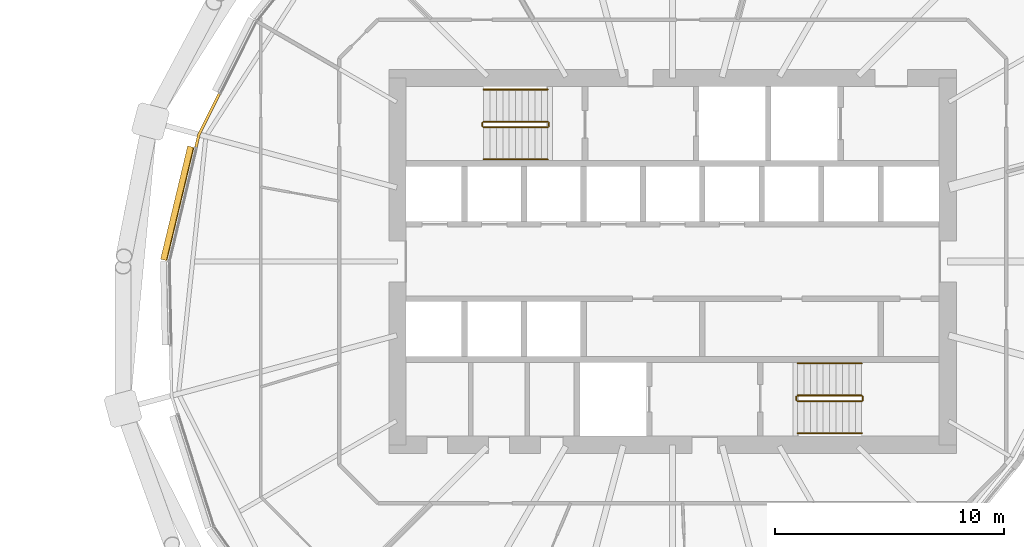
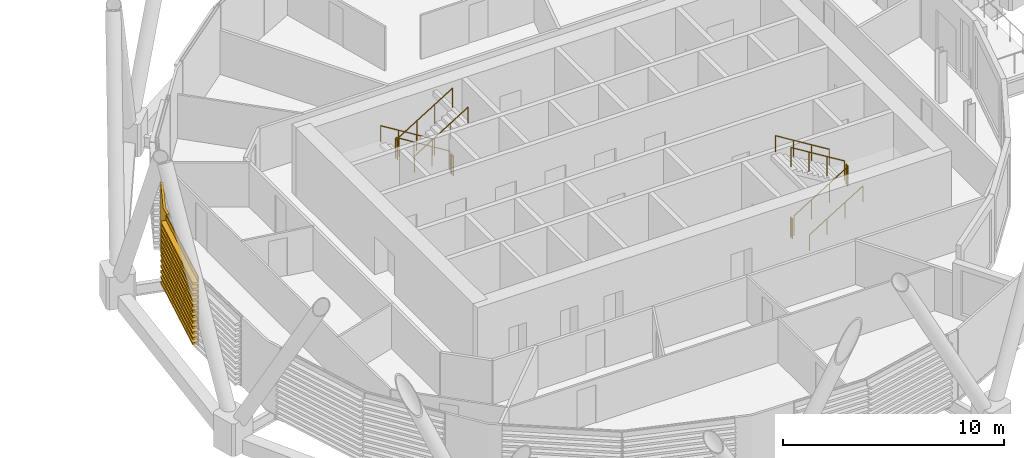
# One storey, part 36 of 38: 12 railings, 2 coverings.
"""IFC4 building model written with IfcOpenShell, lengths in metres."""

from ifc_helpers import new_model, si_unit, direction, frame, origin, origin_2d, place, context, subcontext, project, spatial, polyline, circle, outline, extrude, material, layer, layer_set, material_profile, profile_set, type_object, element, save


model = new_model("IFC4")

# Units and contexts
model_context = context("Model", 3, precision=1e-05, world=origin(), true_north=direction((0.0, 1.0)))
body_context = subcontext(model_context, "Body", "Model", "MODEL_VIEW")
ifc_project = project(units=[si_unit("LENGTHUNIT", "METRE"), si_unit("AREAUNIT", "SQUARE_METRE"), si_unit("VOLUMEUNIT", "CUBIC_METRE"), si_unit("PLANEANGLEUNIT", "RADIAN"), si_unit("MASSUNIT", "GRAM", prefix="KILO")], contexts=[model_context])

# Site, building, storey
site_placement = place(None, origin())
site = spatial("IfcSite", under=ifc_project, at=site_placement, CompositionType="ELEMENT")
building_placement = place(site_placement, origin())
building = spatial("IfcBuilding", under=site, at=building_placement, Name="Rimbun Link Towers", CompositionType="ELEMENT")
storey_placement = place(building_placement, frame((0.0, 0.0, 104.39990234375)))
storey = spatial("IfcBuildingStorey", under=building, at=storey_placement, Name="L25", CompositionType="ELEMENT", Elevation=104.39990234375)

# Covering
ifc_material_1 = material(Name="Terracotta", Category="masonry")
ifc_layer = layer(ifc_material_1, 0.1201171875)
ifc_layer_set = layer_set([ifc_layer], Name="LINK PIER terracotta cladding 120")
covering_type_1 = type_object("IfcCoveringType", Name="LINK PIER terracotta cladding 120", PredefinedType="CLADDING", material=ifc_layer_set)
covering_1_placement = place(storey_placement, origin())
element("IfcCovering", 1, at=covering_1_placement, inside=storey, type_object=covering_type_1, Name="LINK PIER cladding", PredefinedType="CLADDING", context=body_context, shape_type="SweptSolid", body=[
    extrude(outline(polyline([(11.008544921875, 4.9677734375), (11.14111328125, 5.522216796875), (12.025146484375, 7.28271484375), (11.91796875, 7.33642578125), (11.027587890625, 5.563720703125), (10.8916015625, 4.995849609375), (11.008544921875, 4.9677734375)])), origin(), (0.0, 0.0, 1.0), 3.800048828125),
])

# Railings
ifc_material_2 = material(Name="Stainless steel grade 316", Category="steel")
railing_type_1 = type_object("IfcRailingType", Name="Stair guard", PredefinedType="GUARDRAIL", material=ifc_material_2)
railing_1_placement = place(storey_placement, frame((26.300048828125, 6.10009765625, 0.1728515625)))
element("IfcRailing", 2, at=railing_1_placement, inside=storey, type_object=railing_type_1, Name="L25 ST3 stair guard 1", PredefinedType="GUARDRAIL", context=body_context, shape_type="SweptSolid", body=[
    extrude(circle(Radius=0.02392578125, at=origin_2d()), frame((0.0, 0.0, 1.076171875), z_axis=(-0.851089632645, 0.0, 0.525020415988), x_axis=(0.0, -1.0, 0.0)), (0.0, 0.0, 1.0), 3.2900390625),
    extrude(circle(Radius=0.02099609375, at=origin_2d()), origin(), (0.0, 0.0, 1.0), 1.052001953125),
    extrude(circle(Radius=0.02099609375, at=origin_2d()), frame((-0.933349609375, 0.0, 0.57568359375)), (0.0, 0.0, 1.0), 1.052001953125),
    extrude(circle(Radius=0.02099609375, at=origin_2d()), frame((-1.86669921875, 0.0, 1.151611328125)), (0.0, 0.0, 1.0), 1.052001953125),
    extrude(circle(Radius=0.02099609375, at=origin_2d()), frame((-2.800048828125, 0.0, 1.727294921875)), (0.0, 0.0, 1.0), 1.052001953125),
])
railing_2_placement = place(storey_placement, frame((23.449951171875, 6.050048828125, 1.900146484375)))
element("IfcRailing", 3, at=railing_2_placement, inside=storey, type_object=railing_type_1, Name="L25 ST3 stair guard 2", PredefinedType="GUARDRAIL", context=body_context, shape_type="SweptSolid", body=[
    extrude(circle(Radius=0.02392578125, at=origin_2d()), frame((0.0, 0.0, 1.076171875), z_axis=(0.0, -1.0, 0.0), x_axis=(1.0, 0.0, 0.0)), (0.0, 0.0, 1.0), 0.150146484375),
    extrude(circle(Radius=0.02099609375, at=origin_2d()), origin(), (0.0, 0.0, 1.0), 1.052001953125),
    extrude(circle(Radius=0.02099609375, at=origin_2d()), frame((0.0, -0.150146484375, 0.0)), (0.0, 0.0, 1.0), 1.052001953125),
])
railing_3_placement = place(storey_placement, frame((23.5, 5.85009765625, 2.07275390625)))
element("IfcRailing", 4, at=railing_3_placement, inside=storey, type_object=railing_type_1, Name="L25 ST3 stair guard 3", PredefinedType="GUARDRAIL", context=body_context, shape_type="SweptSolid", body=[
    extrude(circle(Radius=0.02392578125, at=origin_2d()), frame((0.0, 0.0, 1.076171875), z_axis=(0.851089632645, 0.0, 0.525020415988), x_axis=(0.0, 1.0, 0.0)), (0.0, 0.0, 1.0), 3.2900390625),
    extrude(circle(Radius=0.02099609375, at=origin_2d()), origin(), (0.0, 0.0, 1.0), 1.052001953125),
    extrude(circle(Radius=0.02099609375, at=origin_2d()), frame((0.933349609375, 0.0, 0.57568359375)), (0.0, 0.0, 1.0), 1.052001953125),
    extrude(circle(Radius=0.02099609375, at=origin_2d()), frame((1.86669921875, 0.0, 1.151611328125)), (0.0, 0.0, 1.0), 1.052001953125),
    extrude(circle(Radius=0.02099609375, at=origin_2d()), frame((2.800048828125, 0.0, 1.727294921875)), (0.0, 0.0, 1.0), 1.052001953125),
])
railing_4_placement = place(storey_placement, frame((26.35009765625, 6.050048828125, 0.0)))
element("IfcRailing", 5, at=railing_4_placement, inside=storey, type_object=railing_type_1, Name="L25 ST3 stair guard 4", PredefinedType="GUARDRAIL", context=body_context, shape_type="SweptSolid", body=[
    extrude(circle(Radius=0.02392578125, at=origin_2d()), frame((0.0, 0.0, 1.076171875), z_axis=(0.0, -1.0, 0.0), x_axis=(1.0, 0.0, 0.0)), (0.0, 0.0, 1.0), 0.150146484375),
    extrude(circle(Radius=0.02099609375, at=origin_2d()), origin(), (0.0, 0.0, 1.0), 1.052001953125),
    extrude(circle(Radius=0.02099609375, at=origin_2d()), frame((0.0, -0.150146484375, 0.0)), (0.0, 0.0, 1.0), 1.052001953125),
])
railing_5_placement = place(storey_placement, frame((37.199951171875, -6.10009765625, 0.1728515625)))
element("IfcRailing", 6, at=railing_5_placement, inside=storey, type_object=railing_type_1, Name="L25 ST4 stair guard 1", PredefinedType="GUARDRAIL", context=body_context, shape_type="SweptSolid", body=[
    extrude(circle(Radius=0.02392578125, at=origin_2d()), frame((0.0, 0.0, 1.076171875), z_axis=(0.851089632645, 0.0, 0.525020415988), x_axis=(0.0, 1.0, 0.0)), (0.0, 0.0, 1.0), 3.2900390625),
    extrude(circle(Radius=0.02099609375, at=origin_2d()), origin(), (0.0, 0.0, 1.0), 1.052001953125),
    extrude(circle(Radius=0.02099609375, at=origin_2d()), frame((0.933349609375, 0.0, 0.57568359375)), (0.0, 0.0, 1.0), 1.052001953125),
    extrude(circle(Radius=0.02099609375, at=origin_2d()), frame((1.86669921875, 0.0, 1.151611328125)), (0.0, 0.0, 1.0), 1.052001953125),
    extrude(circle(Radius=0.02099609375, at=origin_2d()), frame((2.800048828125, 0.0, 1.727294921875)), (0.0, 0.0, 1.0), 1.052001953125),
])
railing_6_placement = place(storey_placement, frame((40.050048828125, -6.050048828125, 1.900146484375)))
element("IfcRailing", 7, at=railing_6_placement, inside=storey, type_object=railing_type_1, Name="L25 ST4 stair guard 2", PredefinedType="GUARDRAIL", context=body_context, shape_type="SweptSolid", body=[
    extrude(circle(Radius=0.02392578125, at=origin_2d()), frame((0.0, 0.0, 1.076171875), z_axis=(0.0, 1.0, 0.0), x_axis=(-1.0, 0.0, 0.0)), (0.0, 0.0, 1.0), 0.150146484375),
    extrude(circle(Radius=0.02099609375, at=origin_2d()), origin(), (0.0, 0.0, 1.0), 1.052001953125),
    extrude(circle(Radius=0.02099609375, at=origin_2d()), frame((0.0, 0.150146484375, 0.0)), (0.0, 0.0, 1.0), 1.052001953125),
])
railing_7_placement = place(storey_placement, frame((40.0, -5.85009765625, 2.07275390625)))
element("IfcRailing", 8, at=railing_7_placement, inside=storey, type_object=railing_type_1, Name="L25 ST4 stair guard 3", PredefinedType="GUARDRAIL", context=body_context, shape_type="SweptSolid", body=[
    extrude(circle(Radius=0.02392578125, at=origin_2d()), frame((0.0, 0.0, 1.076171875), z_axis=(-0.851089632645, 0.0, 0.525020415988), x_axis=(0.0, -1.0, 0.0)), (0.0, 0.0, 1.0), 3.2900390625),
    extrude(circle(Radius=0.02099609375, at=origin_2d()), origin(), (0.0, 0.0, 1.0), 1.052001953125),
    extrude(circle(Radius=0.02099609375, at=origin_2d()), frame((-0.933349609375, 0.0, 0.57568359375)), (0.0, 0.0, 1.0), 1.052001953125),
    extrude(circle(Radius=0.02099609375, at=origin_2d()), frame((-1.86669921875, 0.0, 1.151611328125)), (0.0, 0.0, 1.0), 1.052001953125),
    extrude(circle(Radius=0.02099609375, at=origin_2d()), frame((-2.800048828125, 0.0, 1.727294921875)), (0.0, 0.0, 1.0), 1.052001953125),
])
railing_8_placement = place(storey_placement, frame((37.14990234375, -6.050048828125, 0.0)))
element("IfcRailing", 9, at=railing_8_placement, inside=storey, type_object=railing_type_1, Name="L25 ST4 stair guard 4", PredefinedType="GUARDRAIL", context=body_context, shape_type="SweptSolid", body=[
    extrude(circle(Radius=0.02392578125, at=origin_2d()), frame((0.0, 0.0, 1.076171875), z_axis=(0.0, 1.0, 0.0), x_axis=(-1.0, 0.0, 0.0)), (0.0, 0.0, 1.0), 0.150146484375),
    extrude(circle(Radius=0.02099609375, at=origin_2d()), origin(), (0.0, 0.0, 1.0), 1.052001953125),
    extrude(circle(Radius=0.02099609375, at=origin_2d()), frame((0.0, 0.150146484375, 0.0)), (0.0, 0.0, 1.0), 1.052001953125),
])
ifc_material_3 = material(Name="Stainless steel grade 316", Category="steel")
railing_type_2 = type_object("IfcRailingType", Name="Stair handrail", PredefinedType="HANDRAIL", material=ifc_material_3)
railing_9_placement = place(storey_placement, frame((26.300048828125, 7.5, 0.1728515625)))
element("IfcRailing", 10, at=railing_9_placement, inside=storey, type_object=railing_type_2, Name="L25 ST3 stair handrail 1", PredefinedType="HANDRAIL", context=body_context, shape_type="SweptSolid", body=[
    extrude(circle(Radius=0.02392578125, at=origin_2d()), frame((0.0, 0.0, 0.8759765625), z_axis=(-0.851089632645, 0.0, 0.525020415988), x_axis=(0.0, -1.0, 0.0)), (0.0, 0.0, 1.0), 3.2900390625),
    extrude(circle(Radius=0.02099609375, at=origin_2d()), origin(), (0.0, 0.0, 1.0), 0.851806640625),
    extrude(circle(Radius=0.02099609375, at=origin_2d()), frame((-0.933349609375, 0.0, 0.57568359375)), (0.0, 0.0, 1.0), 0.851806640625),
    extrude(circle(Radius=0.02099609375, at=origin_2d()), frame((-1.86669921875, 0.0, 1.151611328125)), (0.0, 0.0, 1.0), 0.851806640625),
    extrude(circle(Radius=0.02099609375, at=origin_2d()), frame((-2.800048828125, 0.0, 1.727294921875)), (0.0, 0.0, 1.0), 0.851806640625),
])
for number, where, name in (
    (11, (23.5, 4.449951171875, 2.07275390625), "L25 ST3 stair handrail 2"),
    (12, (37.199951171875, -7.5, 0.1728515625), "L25 ST4 stair handrail 1"),
):
    element("IfcRailing", number, at=place(storey_placement, frame(where)), inside=storey, type_object=railing_type_2, Name=name, PredefinedType="HANDRAIL", context=body_context, shape_type="SweptSolid", body=[
        extrude(circle(Radius=0.02392578125, at=origin_2d()), frame((0.0, 0.0, 0.8759765625), z_axis=(0.851089632645, 0.0, 0.525020415988), x_axis=(0.0, 1.0, 0.0)), (0.0, 0.0, 1.0), 3.2900390625),
        extrude(circle(Radius=0.02099609375, at=origin_2d()), origin(), (0.0, 0.0, 1.0), 0.851806640625),
        extrude(circle(Radius=0.02099609375, at=origin_2d()), frame((0.933349609375, 0.0, 0.57568359375)), (0.0, 0.0, 1.0), 0.851806640625),
        extrude(circle(Radius=0.02099609375, at=origin_2d()), frame((1.86669921875, 0.0, 1.151611328125)), (0.0, 0.0, 1.0), 0.851806640625),
        extrude(circle(Radius=0.02099609375, at=origin_2d()), frame((2.800048828125, 0.0, 1.727294921875)), (0.0, 0.0, 1.0), 0.851806640625),
    ])
railing_10_placement = place(storey_placement, frame((40.0, -4.449951171875, 2.07275390625)))
element("IfcRailing", 13, at=railing_10_placement, inside=storey, type_object=railing_type_2, Name="L25 ST4 stair handrail 2", PredefinedType="HANDRAIL", context=body_context, shape_type="SweptSolid", body=[
    extrude(circle(Radius=0.02392578125, at=origin_2d()), frame((0.0, 0.0, 0.8759765625), z_axis=(-0.851089632645, 0.0, 0.525020415988), x_axis=(0.0, -1.0, 0.0)), (0.0, 0.0, 1.0), 3.2900390625),
    extrude(circle(Radius=0.02099609375, at=origin_2d()), origin(), (0.0, 0.0, 1.0), 0.851806640625),
    extrude(circle(Radius=0.02099609375, at=origin_2d()), frame((-0.933349609375, 0.0, 0.57568359375)), (0.0, 0.0, 1.0), 0.851806640625),
    extrude(circle(Radius=0.02099609375, at=origin_2d()), frame((-1.86669921875, 0.0, 1.151611328125)), (0.0, 0.0, 1.0), 0.851806640625),
    extrude(circle(Radius=0.02099609375, at=origin_2d()), frame((-2.800048828125, 0.0, 1.727294921875)), (0.0, 0.0, 1.0), 0.851806640625),
])

# Covering
ifc_material_4 = material(Name="Terracotta", Category="masonry")
ifc_material_profile = material_profile(ifc_material_4, outline(polyline([(0.123046875, 0.0), (0.1630859375, 0.0), (0.1630859375, 0.10009765625), (0.423095703125, 0.10009765625), (0.423095703125, 0.219970703125), (0.1630859375, 0.219970703125), (0.1630859375, 0.39990234375), (0.423095703125, 0.39990234375), (0.423095703125, 0.52001953125), (0.1630859375, 0.52001953125), (0.1630859375, 0.699951171875), (0.423095703125, 0.699951171875), (0.423095703125, 0.820068359375), (0.1630859375, 0.820068359375), (0.1630859375, 1.0), (0.423095703125, 1.0), (0.423095703125, 1.1201171875), (0.1630859375, 1.1201171875), (0.1630859375, 1.300048828125), (0.423095703125, 1.300048828125), (0.423095703125, 1.419921875), (0.1630859375, 1.419921875), (0.1630859375, 1.60009765625), (0.423095703125, 1.60009765625), (0.423095703125, 1.719970703125), (0.1630859375, 1.719970703125), (0.1630859375, 1.89990234375), (0.423095703125, 1.89990234375), (0.423095703125, 2.02001953125), (0.1630859375, 2.02001953125), (0.1630859375, 2.199951171875), (0.423095703125, 2.199951171875), (0.423095703125, 2.320068359375), (0.1630859375, 2.320068359375), (0.1630859375, 2.5), (0.423095703125, 2.5), (0.423095703125, 2.6201171875), (0.1630859375, 2.6201171875), (0.1630859375, 2.800048828125), (0.423095703125, 2.800048828125), (0.423095703125, 2.919921875), (0.1630859375, 2.919921875), (0.1630859375, 3.10009765625), (0.423095703125, 3.10009765625), (0.423095703125, 3.219970703125), (0.1630859375, 3.219970703125), (0.1630859375, 3.39990234375), (0.423095703125, 3.39990234375), (0.423095703125, 3.52001953125), (0.1630859375, 3.52001953125), (0.1630859375, 3.800048828125), (0.123046875, 3.800048828125), (0.123046875, 0.0)])), Name="BAGUETTE 120X300")
ifc_profile_set = profile_set([ifc_material_profile], Name="Terracotta")
covering_type_2 = type_object("IfcCoveringType", Name="TERRACOTTA BAGUETTE 120X300 H3800", PredefinedType="CLADDING", material=ifc_profile_set)
covering_2_placement = place(storey_placement, frame((9.8203125, 0.0, 0.0), z_axis=(0.232601883749, 0.972572035212, 0.0), x_axis=(-0.972572035212, 0.232601883749, 0.0)))
element("IfcCovering", 14, at=covering_2_placement, inside=storey, type_object=covering_type_2, Name="TERRACOTTA BAGUETTE", PredefinedType="CLADDING", context=body_context, shape_type="SweptSolid", body=[
    extrude(outline(polyline([(0.123046875, 0.0), (0.1630859375, 0.0), (0.1630859375, 0.10009765625), (0.423095703125, 0.10009765625), (0.423095703125, 0.219970703125), (0.1630859375, 0.219970703125), (0.1630859375, 0.39990234375), (0.423095703125, 0.39990234375), (0.423095703125, 0.52001953125), (0.1630859375, 0.52001953125), (0.1630859375, 0.699951171875), (0.423095703125, 0.699951171875), (0.423095703125, 0.820068359375), (0.1630859375, 0.820068359375), (0.1630859375, 1.0), (0.423095703125, 1.0), (0.423095703125, 1.1201171875), (0.1630859375, 1.1201171875), (0.1630859375, 1.300048828125), (0.423095703125, 1.300048828125), (0.423095703125, 1.419921875), (0.1630859375, 1.419921875), (0.1630859375, 1.60009765625), (0.423095703125, 1.60009765625), (0.423095703125, 1.719970703125), (0.1630859375, 1.719970703125), (0.1630859375, 1.89990234375), (0.423095703125, 1.89990234375), (0.423095703125, 2.02001953125), (0.1630859375, 2.02001953125), (0.1630859375, 2.199951171875), (0.423095703125, 2.199951171875), (0.423095703125, 2.320068359375), (0.1630859375, 2.320068359375), (0.1630859375, 2.5), (0.423095703125, 2.5), (0.423095703125, 2.6201171875), (0.1630859375, 2.6201171875), (0.1630859375, 2.800048828125), (0.423095703125, 2.800048828125), (0.423095703125, 2.919921875), (0.1630859375, 2.919921875), (0.1630859375, 3.10009765625), (0.423095703125, 3.10009765625), (0.423095703125, 3.219970703125), (0.1630859375, 3.219970703125), (0.1630859375, 3.39990234375), (0.423095703125, 3.39990234375), (0.423095703125, 3.52001953125), (0.1630859375, 3.52001953125), (0.1630859375, 3.800048828125), (0.123046875, 3.800048828125), (0.123046875, 0.0)])), origin(), (0.0, 0.0, 1.0), 5.077880859375),
])

save(model, "model.ifc")
